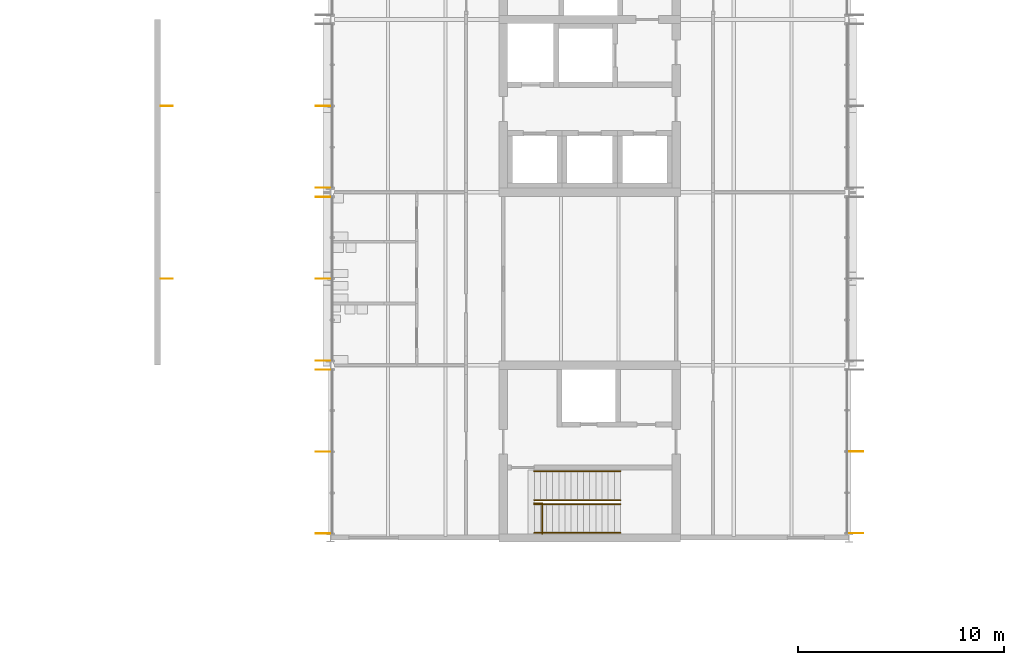
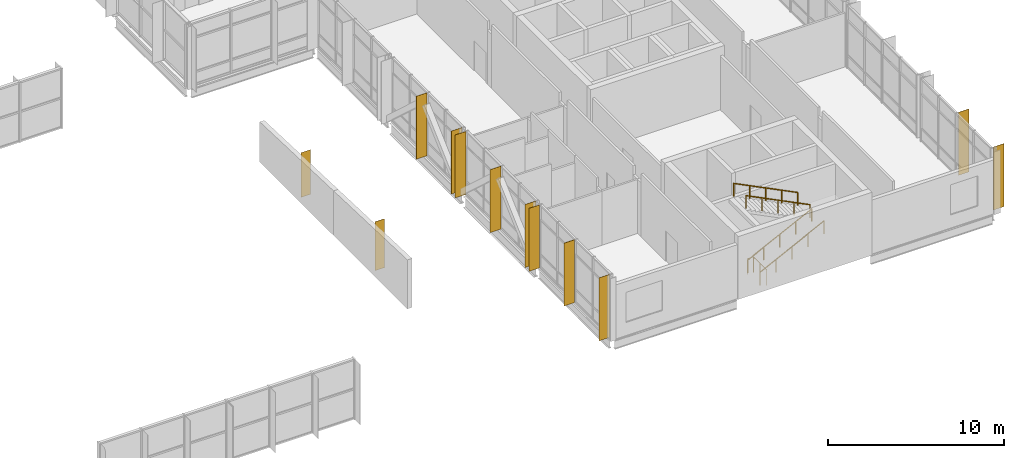
# One storey, part 66 of 72: 12 shading devices, 5 railings.
"""IFC4 building model written with IfcOpenShell, lengths in metres."""

from ifc_helpers import new_model, si_unit, direction, frame, origin, origin_2d, place, context, subcontext, project, spatial, rectangle, circle, extrude, material, layer, layer_set, type_object, element, save


model = new_model("IFC4")

# Units and contexts
model_context = context("Model", 3, precision=1e-05, world=origin(), true_north=direction((0.0, 1.0)))
body_context = subcontext(model_context, "Body", "Model", "MODEL_VIEW")
ifc_project = project(units=[si_unit("LENGTHUNIT", "METRE"), si_unit("AREAUNIT", "SQUARE_METRE"), si_unit("VOLUMEUNIT", "CUBIC_METRE"), si_unit("PLANEANGLEUNIT", "RADIAN"), si_unit("MASSUNIT", "GRAM", prefix="KILO")], contexts=[model_context])

# Site, building, storey
site_placement = place(None, origin())
site = spatial("IfcSite", under=ifc_project, at=site_placement, CompositionType="ELEMENT")
building_placement = place(site_placement, origin())
building = spatial("IfcBuilding", under=site, at=building_placement, Name="Hlaing Beacon Police Headquarters", CompositionType="ELEMENT")
storey_placement = place(building_placement, frame((0.0, 0.0, 14.39990234375)))
storey = spatial("IfcBuildingStorey", under=building, at=storey_placement, Name="L03", CompositionType="ELEMENT", Elevation=14.39990234375)

# Shading devices
ifc_material_1 = material(Name="Aluminium 6063-T5 anodised", Category="aluminium")
ifc_layer_1 = layer(ifc_material_1, 0.011962890625)
ifc_layer_set_1 = layer_set([ifc_layer_1], Name="Aluminium 6063-T5 anodised")
shading_device_type_1 = type_object("IfcShadingDeviceType", Name="Aluminium fin 12x600", PredefinedType="JALOUSIE", material=ifc_layer_set_1)
shading_device_1_placement = place(storey_placement, frame((92.85009765625, 46.199951171875, 0.000244140625), z_axis=(0.0, 0.0, 1.0), x_axis=(0.0, 1.0, 0.0)))
element("IfcShadingDevice", 1, at=shading_device_1_placement, inside=storey, type_object=shading_device_type_1, Name="Fin L03 E003", PredefinedType="JALOUSIE", context=body_context, shape_type="SweptSolid", body=[
    extrude(rectangle(XDim=0.011962890625, YDim=0.60009765625, at=origin_2d()), origin(), (0.0, 0.0, 1.0), 3.39990234375),
])
shading_device_2_placement = place(storey_placement, frame((92.85009765625, 54.60009765625, 0.0), z_axis=(0.0, 0.0, 1.0), x_axis=(0.0, 1.0, 0.0)))
element("IfcShadingDevice", 2, at=shading_device_2_placement, inside=storey, type_object=shading_device_type_1, Name="Fin L03 E004", PredefinedType="JALOUSIE", context=body_context, shape_type="SweptSolid", body=[
    extrude(rectangle(XDim=0.011962890625, YDim=0.60009765625, at=origin_2d()), origin(), (0.0, 0.0, 1.0), 3.10009765625),
])
ifc_material_2 = material(Name="Aluminium 6063-T5 anodised", Category="aluminium")
ifc_layer_2 = layer(ifc_material_2, 0.01611328125)
ifc_layer_set_2 = layer_set([ifc_layer_2], Name="Aluminium 6063-T5 anodised")
shading_device_type_2 = type_object("IfcShadingDeviceType", Name="Aluminium fin 16x700", PredefinedType="JALOUSIE", material=ifc_layer_set_2)
for number, where, z_axis, x_axis, name in (
    (3, (126.35009765625, 33.83837890625, 0.0), (0.0, 0.0, 1.0), (0.0, 1.0, 0.0), "Fin L03 E021.0"),
    (4, (126.35009765625, 37.808837890625, 0.0), (0.0, 0.0, 1.0), (0.0, 1.0, 0.0), "Fin L03 E021.2"),
    (5, (100.449951171875, 54.60009765625, 0.0), (0.0, 0.0, 1.0), (0.0, -1.0, 0.0), "Fin L03 W037.2"),
    (6, (100.449951171875, 50.62060546875, 0.0), (0.0, 0.0, 1.0), (0.0, -1.0, 0.0), "Fin L03 W037.4"),
    (7, (100.449951171875, 50.179443359375, 0.0), (0.0, 0.0, 1.0), (0.0, -1.0, 0.0), "Fin L03 W038.0"),
    (8, (100.449951171875, 46.199951171875, 0.0), (0.0, 0.0, 1.0), (0.0, -1.0, 0.0), "Fin L03 W038.2"),
    (9, (100.449951171875, 42.220458984375, 0.0), (0.0, 0.0, 1.0), (0.0, -1.0, 0.0), "Fin L03 W038.4"),
    (10, (100.449951171875, 41.779541015625, 0.0), (0.0, 0.0, 1.0), (0.0, -1.0, 0.0), "Fin L03 W039.0"),
    (11, (100.449951171875, 37.798095703125, 0.0), (0.0, 0.0, 1.0), (0.0, -1.0, 0.0), "Fin L03 W039.2"),
    (12, (100.449951171875, 33.816650390625, 0.0), (0.0, 0.0, 1.0), (0.0, -1.0, 0.0), "Fin L03 W039.4"),
):
    element("IfcShadingDevice", number, at=place(storey_placement, frame(where, z_axis=z_axis, x_axis=x_axis)), inside=storey, type_object=shading_device_type_2, Name=name, PredefinedType="JALOUSIE", context=body_context, shape_type="SweptSolid", body=[
        extrude(rectangle(XDim=0.01611328125, YDim=0.699951171875, at=origin_2d()), origin(), (0.0, 0.0, 1.0), 4.3701171875),
    ])

# Railings
ifc_material_3 = material(Name="Stainless steel", Category="steel")
railing_type_1 = type_object("IfcRailingType", Name="Stair guard 1100", PredefinedType="GUARDRAIL", material=ifc_material_3)
railing_placement = place(storey_placement, frame((111.10009765625, 33.800048828125, 0.0)))
element("IfcRailing", 13, at=railing_placement, inside=storey, type_object=railing_type_1, Name="Guard ST-L", PredefinedType="GUARDRAIL", context=body_context, shape_type="SweptSolid", body=[
    extrude(circle(Radius=0.02392578125, at=origin_2d()), frame((0.0, 0.0, 1.076171875), z_axis=(0.0, 1.0, 0.0), x_axis=(-1.0, 0.0, 0.0)), (0.0, 0.0, 1.0), 1.5),
    extrude(circle(Radius=0.02392578125, at=origin_2d()), frame((0.0, 1.5, 1.076171875), z_axis=(-1.0, 0.0, 0.0), x_axis=(0.0, -1.0, 0.0)), (0.0, 0.0, 1.0), 0.400146484375),
    extrude(circle(Radius=0.02099609375, at=origin_2d()), origin(), (0.0, 0.0, 1.0), 1.052001953125),
    extrude(circle(Radius=0.02099609375, at=origin_2d()), frame((0.0, 0.75, 0.0)), (0.0, 0.0, 1.0), 1.052001953125),
    extrude(circle(Radius=0.02099609375, at=origin_2d()), frame((0.0, 1.5, 0.0)), (0.0, 0.0, 1.0), 1.052001953125),
    extrude(circle(Radius=0.02099609375, at=origin_2d()), frame((-0.400146484375, 1.5, 0.0)), (0.0, 0.0, 1.0), 1.052001953125),
])
ifc_material_4 = material(Name="Stainless steel", Category="steel")
railing_type_2 = type_object("IfcRailingType", Name="Stair handrail 900", PredefinedType="HANDRAIL", material=ifc_material_4)
for number, where, name in (
    (14, (110.699951171875, 33.85009765625, 0.150146484375), "Handrail ST-L"),
    (15, (110.699951171875, 35.25, 0.150146484375), "Handrail ST-L"),
):
    element("IfcRailing", number, at=place(storey_placement, frame(where)), inside=storey, type_object=railing_type_2, Name=name, PredefinedType="HANDRAIL", context=body_context, shape_type="SweptSolid", body=[
        extrude(circle(Radius=0.02392578125, at=origin_2d()), frame((0.0, 0.0, 0.8759765625), z_axis=(0.894437589381, 0.0, 0.447192798132), x_axis=(0.0, 1.0, 0.0)), (0.0, 0.0, 1.0), 4.695556640625),
        extrude(circle(Radius=0.02099609375, at=origin_2d()), origin(), (0.0, 0.0, 1.0), 0.851806640625),
        extrude(circle(Radius=0.02099609375, at=origin_2d()), frame((1.050048828125, 0.0, 0.52490234375)), (0.0, 0.0, 1.0), 0.851806640625),
        extrude(circle(Radius=0.02099609375, at=origin_2d()), frame((2.10009765625, 0.0, 1.0498046875)), (0.0, 0.0, 1.0), 0.851806640625),
        extrude(circle(Radius=0.02099609375, at=origin_2d()), frame((3.14990234375, 0.0, 1.574951171875)), (0.0, 0.0, 1.0), 0.851806640625),
        extrude(circle(Radius=0.02099609375, at=origin_2d()), frame((4.199951171875, 0.0, 2.099853515625)), (0.0, 0.0, 1.0), 0.851806640625),
    ])
for number, where, name in (
    (16, (114.89990234375, 35.449951171875, 2.400146484375), "Handrail ST-L"),
    (17, (114.89990234375, 36.85009765625, 2.400146484375), "Handrail ST-L"),
):
    element("IfcRailing", number, at=place(storey_placement, frame(where)), inside=storey, type_object=railing_type_2, Name=name, PredefinedType="HANDRAIL", context=body_context, shape_type="SweptSolid", body=[
        extrude(circle(Radius=0.02392578125, at=origin_2d()), frame((0.0, 0.0, 0.8759765625), z_axis=(-0.894437589381, 0.0, 0.447192798132), x_axis=(0.0, -1.0, 0.0)), (0.0, 0.0, 1.0), 4.695556640625),
        extrude(circle(Radius=0.02099609375, at=origin_2d()), origin(), (0.0, 0.0, 1.0), 0.851806640625),
        extrude(circle(Radius=0.02099609375, at=origin_2d()), frame((-1.050048828125, 0.0, 0.52490234375)), (0.0, 0.0, 1.0), 0.851806640625),
        extrude(circle(Radius=0.02099609375, at=origin_2d()), frame((-2.10009765625, 0.0, 1.0498046875)), (0.0, 0.0, 1.0), 0.851806640625),
        extrude(circle(Radius=0.02099609375, at=origin_2d()), frame((-3.14990234375, 0.0, 1.574951171875)), (0.0, 0.0, 1.0), 0.851806640625),
        extrude(circle(Radius=0.02099609375, at=origin_2d()), frame((-4.199951171875, 0.0, 2.099853515625)), (0.0, 0.0, 1.0), 0.851806640625),
    ])

save(model, "model.ifc")
